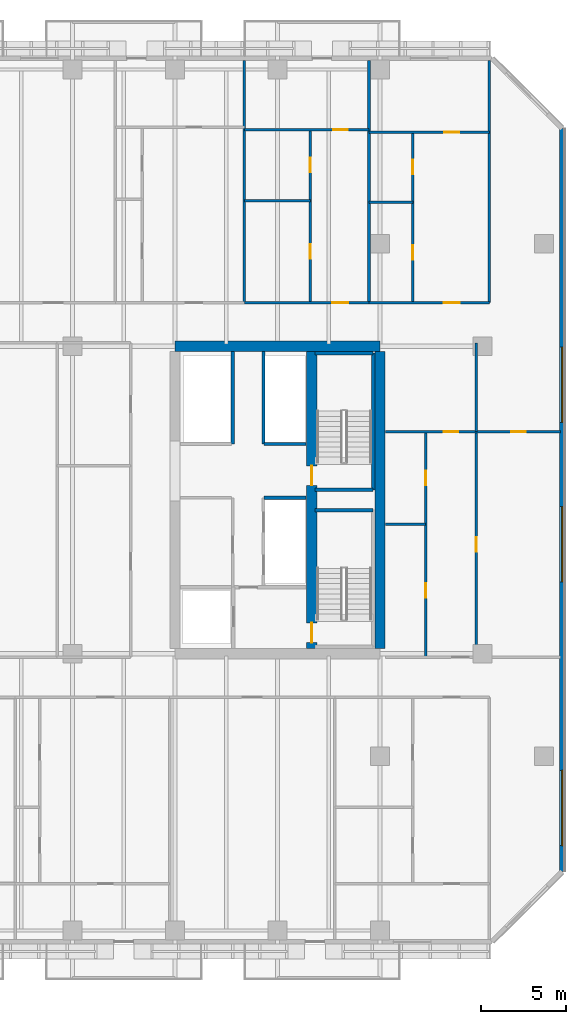
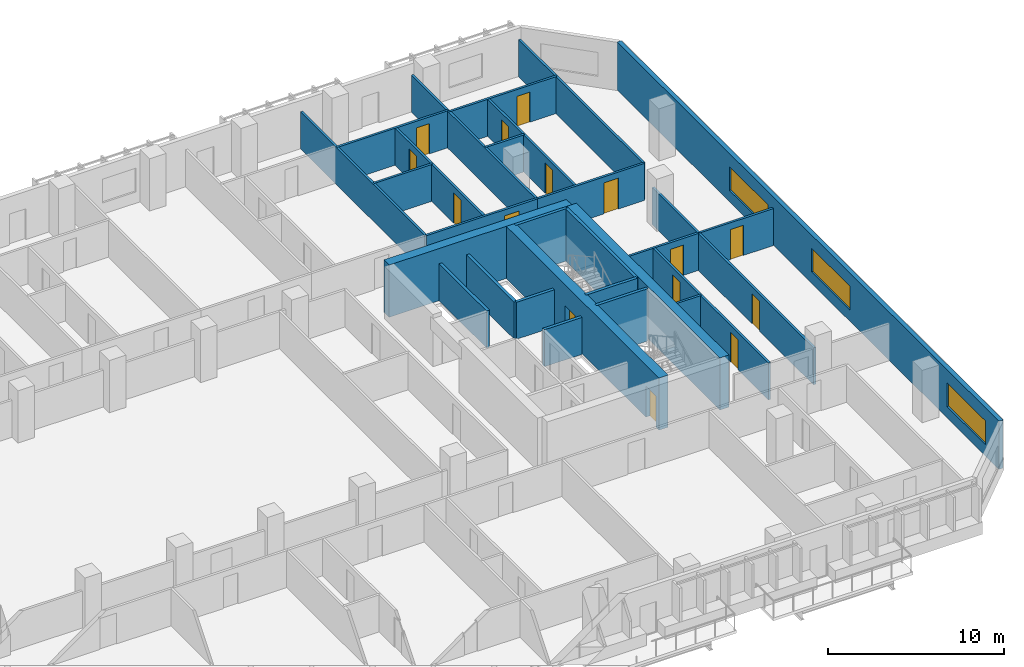
# One storey, part 15 of 25: 28 walls, 15 doors, 3 windows, 18 openings.
"""IFC4 building model written with IfcOpenShell, lengths in metres."""

from ifc_helpers import new_model, si_unit, direction, frame, frame_2d, origin, place, context, subcontext, project, spatial, rectangle, extrude, material, layer, layer_set, type_object, element, fill, save


model = new_model("IFC4")

# Units and contexts
model_context = context("Model", 3, precision=1e-05, world=origin(), true_north=direction((0.0, 1.0)))
body_context = subcontext(model_context, "Body", "Model", "MODEL_VIEW")
ifc_project = project(units=[si_unit("LENGTHUNIT", "METRE"), si_unit("AREAUNIT", "SQUARE_METRE"), si_unit("VOLUMEUNIT", "CUBIC_METRE"), si_unit("PLANEANGLEUNIT", "RADIAN"), si_unit("MASSUNIT", "GRAM", prefix="KILO")], contexts=[model_context])

# Site, building, storey
site_placement = place(None, origin())
site = spatial("IfcSite", under=ifc_project, at=site_placement, CompositionType="ELEMENT")
building_placement = place(site_placement, origin())
building = spatial("IfcBuilding", under=site, at=building_placement, Name="Tanjung Sevakor Pilgrim Tower", CompositionType="ELEMENT")
storey_placement = place(building_placement, frame((0.0, 0.0, 69.6298828125)))
storey = spatial("IfcBuildingStorey", under=building, at=storey_placement, Name="L19", CompositionType="ELEMENT", Elevation=69.6298828125)

# Walls
ifc_material_1 = material(Name="Concrete C60/75", Category="concrete")
ifc_layer_1 = layer(ifc_material_1, 0.60009765625)
ifc_layer_set_1 = layer_set([ifc_layer_1], Name="WALL-CW-600")
wall_type_1 = type_object("IfcWallType", Name="WALL-CW-600", PredefinedType="SHEAR", material=ifc_layer_set_1)
wall_1_placement = place(storey_placement, frame((90.0, 42.60009765625, 0.0), z_axis=(0.0, 0.0, 1.0), x_axis=(-1.0, 0.0, 0.0)))
element("IfcWall", 1, at=wall_1_placement, inside=storey, type_object=wall_type_1, Name="L19 E Core North Shear Wall", PredefinedType="SHEAR", context=body_context, shape_type="SweptSolid", body=[
    extrude(rectangle(XDim=12.0, YDim=0.60009765625, at=frame_2d((6.0, 0.0))), origin(), (0.0, 0.0, 1.0), 3.630126953125),
])
wall_2_placement = place(storey_placement, frame((90.0, 24.89990234375, 0.0), z_axis=(0.0, 0.0, 1.0), x_axis=(0.0, 1.0, 0.0)))
element("IfcWall", 2, at=wall_2_placement, inside=storey, type_object=wall_type_1, Name="L19 E Core Outer Shear Wall", PredefinedType="SHEAR", context=body_context, shape_type="SweptSolid", body=[
    extrude(rectangle(XDim=17.400146484375, YDim=0.60009765625, at=frame_2d((8.7001953125, 0.0))), origin(), (0.0, 0.0, 1.0), 3.630126953125),
])

# Wall, openings, doors
wall_3_placement = place(storey_placement, frame((86.0, 24.89990234375, 0.0), z_axis=(0.0, 0.0, 1.0), x_axis=(0.0, 1.0, 0.0)))
wall_3 = element("IfcWall", 3, at=wall_3_placement, inside=storey, type_object=wall_type_1, Name="L19 E Core Stair Spine Wall", PredefinedType="SHEAR", context=body_context, shape_type="SweptSolid", body=[
    extrude(rectangle(XDim=17.400146484375, YDim=0.60009765625, at=frame_2d((8.7001953125, 0.0))), origin(), (0.0, 0.0, 1.0), 3.630126953125),
])
opening_1_placement = place(wall_3_placement, frame((0.35009765625, 0.0, 0.0)))
opening_1 = element("IfcOpeningElement", 4, at=opening_1_placement, cuts=wall_3, Name="Opening ID-ST1", PredefinedType="OPENING", context=body_context, shape_type="SweptSolid", body=[
    extrude(rectangle(XDim=1.14990234375, YDim=2.14990234375, at=frame_2d((0.574951171875, 1.074951171875))), frame((0.0, 0.31005859375, 0.0), z_axis=(0.0, -1.0, 0.0), x_axis=(1.0, 0.0, 0.0)), (0.0, 0.0, 1.0), 0.6201171875),
])
opening_2_placement = place(wall_3_placement, frame((9.550048828125, 0.0, 0.0)))
opening_2 = element("IfcOpeningElement", 5, at=opening_2_placement, cuts=wall_3, Name="Opening ID-ST1", PredefinedType="OPENING", context=body_context, shape_type="SweptSolid", body=[
    extrude(rectangle(XDim=1.14990234375, YDim=2.14990234375, at=frame_2d((0.574951171875, 1.074951171875))), frame((0.0, 0.31005859375, 0.0), z_axis=(0.0, -1.0, 0.0), x_axis=(1.0, 0.0, 0.0)), (0.0, 0.0, 1.0), 0.6201171875),
])
ifc_material_2 = material(Name="Fire-Rated Steel S355J2", Category="steel")
door_type_1 = type_object("IfcDoorType", Name="DT-FIRE-1150", OperationType="NOTDEFINED", PredefinedType="DOOR", material=ifc_material_2)
door_1_placement = place(opening_1_placement, origin())
door_1 = element("IfcDoor", 6, at=door_1_placement, inside=storey, type_object=door_type_1, Name="L19 TS-E1 Stair Fire Door", OperationType="SINGLE_SWING_RIGHT", OverallHeight=2.14990234375, OverallWidth=1.14990234375, PredefinedType="DOOR", context=body_context, shape_type="SweptSolid", body=[
    extrude(rectangle(XDim=1.14990234375, YDim=2.14990234375, at=frame_2d((0.574951171875, 1.074951171875))), frame((0.0, 0.02490234375, 0.0), z_axis=(0.0, -1.0, 0.0), x_axis=(1.0, 0.0, 0.0)), (0.0, 0.0, 1.0), 0.050048828125),
])
fill(opening_1, door_1)
door_2_placement = place(opening_2_placement, origin())
door_2 = element("IfcDoor", 7, at=door_2_placement, inside=storey, type_object=door_type_1, Name="L19 TS-E2 Stair Fire Door", OperationType="SINGLE_SWING_LEFT", OverallHeight=2.14990234375, OverallWidth=1.14990234375, PredefinedType="DOOR", context=body_context, shape_type="SweptSolid", body=[
    extrude(rectangle(XDim=1.14990234375, YDim=2.14990234375, at=frame_2d((0.574951171875, 1.074951171875))), frame((0.0, 0.02490234375, 0.0), z_axis=(0.0, -1.0, 0.0), x_axis=(1.0, 0.0, 0.0)), (0.0, 0.0, 1.0), 0.050048828125),
])
fill(opening_2, door_2)

# Walls
ifc_material_3 = material(Name="Concrete C40/50", Category="concrete")
ifc_layer_2 = layer(ifc_material_3, 0.14990234375)
ifc_layer_set_2 = layer_set([ifc_layer_2], Name="WT-COMP-150")
wall_type_2 = type_object("IfcWallType", Name="WT-COMP-150", PredefinedType="SOLIDWALL", material=ifc_layer_set_2)
for number, where, z_axis, x_axis, name in (
    (8, (96.39990234375, 45.14990234375, 0.0), (0.0, 0.0, 1.0), (0.0, 1.0, 0.0), "L19 Partition IW-L19-087"),
    (9, (82.05908203125, 45.14990234375, 0.0), (0.0, 0.0, 1.0), (0.0, 1.0, 0.0), "L19 Partition IW-L19-100"),
    (10, (89.355224609375, 45.14990234375, 0.0), (0.0, 0.0, 1.0), (0.0, 1.0, 0.0), "L19 Partition IW-L19-105"),
):
    element("IfcWall", number, at=place(storey_placement, frame(where, z_axis=z_axis, x_axis=x_axis)), inside=storey, type_object=wall_type_2, Name=name, PredefinedType="SOLIDWALL", context=body_context, shape_type="SweptSolid", body=[
        extrude(rectangle(XDim=14.170166015625, YDim=0.14990234375, at=frame_2d((7.0849609375, 0.0))), origin(), (0.0, 0.0, 1.0), 2.570068359375),
    ])

# Wall, opening, door
wall_4_placement = place(storey_placement, frame((82.05908203125, 45.14990234375, 0.0), z_axis=(0.0, 0.0, 1.0), x_axis=(1.0, 0.0, 0.0)))
wall_4 = element("IfcWall", 11, at=wall_4_placement, inside=storey, type_object=wall_type_2, Name="L19 Partition IW-L19-109", PredefinedType="SOLIDWALL", context=body_context, shape_type="SweptSolid", body=[
    extrude(rectangle(XDim=7.296142578125, YDim=0.14990234375, at=frame_2d((3.64794921875, 0.0))), origin(), (0.0, 0.0, 1.0), 2.570068359375),
])
opening_3_placement = place(wall_4_placement, frame((5.1435546875, 0.0, 0.0)))
opening_3 = element("IfcOpeningElement", 12, at=opening_3_placement, cuts=wall_4, Name="Opening ID-FD2", PredefinedType="OPENING", context=body_context, shape_type="SweptSolid", body=[
    extrude(rectangle(XDim=0.949951171875, YDim=2.14990234375, at=frame_2d((0.47509765625, 1.074951171875))), frame((0.0, 0.0849609375, 0.0), z_axis=(0.0, -1.0, 0.0), x_axis=(1.0, 0.0, 0.0)), (0.0, 0.0, 1.0), 0.169921875),
])
ifc_material_4 = material(Name="Fire-Rated Timber", Category="wood")
door_type_2 = type_object("IfcDoorType", Name="DT-FIRE-950", OperationType="NOTDEFINED", PredefinedType="DOOR", material=ifc_material_4)
door_3_placement = place(opening_3_placement, origin())
door_3 = element("IfcDoor", 13, at=door_3_placement, inside=storey, type_object=door_type_2, Name="Residence Entrance", OperationType="SINGLE_SWING_LEFT", OverallHeight=2.14990234375, OverallWidth=0.949951171875, PredefinedType="DOOR", context=body_context, shape_type="SweptSolid", body=[
    extrude(rectangle(XDim=0.949951171875, YDim=2.14990234375, at=frame_2d((0.47509765625, 1.074951171875))), frame((0.0, 0.02490234375, 0.0), z_axis=(0.0, -1.0, 0.0), x_axis=(1.0, 0.0, 0.0)), (0.0, 0.0, 1.0), 0.050048828125),
])
fill(opening_3, door_3)

wall_5_placement = place(storey_placement, frame((89.355224609375, 45.14990234375, 0.0), z_axis=(0.0, 0.0, 1.0), x_axis=(1.0, 0.0, 0.0)))
wall_5 = element("IfcWall", 14, at=wall_5_placement, inside=storey, type_object=wall_type_2, Name="L19 Partition IW-L19-113", PredefinedType="SOLIDWALL", context=body_context, shape_type="SweptSolid", body=[
    extrude(rectangle(XDim=7.044677734375, YDim=0.14990234375, at=frame_2d((3.5224609375, 0.0))), origin(), (0.0, 0.0, 1.0), 2.570068359375),
])
opening_4_placement = place(wall_5_placement, frame((4.36962890625, 0.0, 0.0)))
opening_4 = element("IfcOpeningElement", 15, at=opening_4_placement, cuts=wall_5, Name="Opening ID-FD2", PredefinedType="OPENING", context=body_context, shape_type="SweptSolid", body=[
    extrude(rectangle(XDim=0.949951171875, YDim=2.14990234375, at=frame_2d((0.47509765625, 1.074951171875))), frame((0.0, 0.0849609375, 0.0), z_axis=(0.0, -1.0, 0.0), x_axis=(1.0, 0.0, 0.0)), (0.0, 0.0, 1.0), 0.169921875),
])
door_4_placement = place(opening_4_placement, origin())
door_4 = element("IfcDoor", 16, at=door_4_placement, inside=storey, type_object=door_type_2, Name="Residence Entrance", OperationType="SINGLE_SWING_LEFT", OverallHeight=2.14990234375, OverallWidth=0.949951171875, PredefinedType="DOOR", context=body_context, shape_type="SweptSolid", body=[
    extrude(rectangle(XDim=0.949951171875, YDim=2.14990234375, at=frame_2d((0.47509765625, 1.074951171875))), frame((0.0, 0.02490234375, 0.0), z_axis=(0.0, -1.0, 0.0), x_axis=(1.0, 0.0, 0.0)), (0.0, 0.0, 1.0), 0.050048828125),
])
fill(opening_4, door_4)

# Wall, openings, windows
ifc_material_5 = material(Name="Precast concrete C45/55", Category="concrete")
ifc_layer_3 = layer(ifc_material_5, 0.280029296875)
ifc_layer_set_3 = layer_set([ifc_layer_3], Name="WT-EW-STN2")
wall_type_3 = type_object("IfcWallType", Name="WT-EW-STN2", PredefinedType="SOLIDWALL", material=ifc_layer_set_3)
wall_6_placement = place(storey_placement, frame((100.659912109375, 11.85791015625, 0.0), z_axis=(0.0, 0.0, 1.0), x_axis=(0.0, 1.0, 0.0)))
wall_6 = element("IfcWall", 17, at=wall_6_placement, inside=storey, type_object=wall_type_3, Name="L19 MAIN Exterior Wall 7", PredefinedType="SOLIDWALL", context=body_context, shape_type="SweptSolid", body=[
    extrude(rectangle(XDim=43.484130859375, YDim=0.280029296875, at=frame_2d((21.7421875, 0.0))), origin(), (0.0, 0.0, 1.0), 3.35009765625),
])
opening_5_placement = place(wall_6_placement, frame((16.951904296875, 0.0, 0.780029296875)))
opening_5 = element("IfcOpeningElement", 18, at=opening_5_placement, cuts=wall_6, Name="Opening WN-ENDW-1660", PredefinedType="OPENING", context=body_context, shape_type="SweptSolid", body=[
    extrude(rectangle(XDim=4.39990234375, YDim=1.659912109375, at=frame_2d((2.199951171875, 0.830078125))), frame((0.0, 0.14990234375, 0.0), z_axis=(0.0, -1.0, 0.0), x_axis=(1.0, 0.0, 0.0)), (0.0, 0.0, 1.0), 0.300048828125),
])
opening_6_placement = place(wall_6_placement, frame((26.2919921875, 0.0, 0.780029296875)))
opening_6 = element("IfcOpeningElement", 19, at=opening_6_placement, cuts=wall_6, Name="Opening WN-ENDW-1660", PredefinedType="OPENING", context=body_context, shape_type="SweptSolid", body=[
    extrude(rectangle(XDim=4.39990234375, YDim=1.659912109375, at=frame_2d((2.199951171875, 0.830078125))), frame((0.0, 0.14990234375, 0.0), z_axis=(0.0, -1.0, 0.0), x_axis=(1.0, 0.0, 0.0)), (0.0, 0.0, 1.0), 0.300048828125),
])
opening_7_placement = place(wall_6_placement, frame((1.510986328125, 0.0, 0.780029296875)))
opening_7 = element("IfcOpeningElement", 20, at=opening_7_placement, cuts=wall_6, Name="Opening WN-ENDW-1660", PredefinedType="OPENING", context=body_context, shape_type="SweptSolid", body=[
    extrude(rectangle(XDim=4.39990234375, YDim=1.659912109375, at=frame_2d((2.199951171875, 0.830078125))), frame((0.0, 0.14990234375, 0.0), z_axis=(0.0, -1.0, 0.0), x_axis=(1.0, 0.0, 0.0)), (0.0, 0.0, 1.0), 0.300048828125),
])
ifc_material_6 = material(Name="Thermally Broken Aluminium and Low-E Glass", Category="aluminium")
window_type = type_object("IfcWindowType", Name="WTYP-WN-ENDW-1660", PartitioningType="DOUBLE_PANEL_VERTICAL", PredefinedType="WINDOW", material=ifc_material_6)
window_1_placement = place(opening_5_placement, origin())
window_1 = element("IfcWindow", 21, at=window_1_placement, inside=storey, type_object=window_type, Name="L19 Facade Window 01", OverallHeight=1.659912109375, OverallWidth=4.39990234375, PartitioningType="SINGLE_PANEL", PredefinedType="WINDOW", context=body_context, shape_type="SweptSolid", body=[
    extrude(rectangle(XDim=4.39990234375, YDim=1.659912109375, at=frame_2d((2.199951171875, 0.830078125))), frame((0.0, 0.030029296875, 0.0), z_axis=(0.0, -1.0, 0.0), x_axis=(1.0, 0.0, 0.0)), (0.0, 0.0, 1.0), 0.06005859375),
])
fill(opening_5, window_1)
window_2_placement = place(opening_6_placement, origin())
window_2 = element("IfcWindow", 22, at=window_2_placement, inside=storey, type_object=window_type, Name="L19 Facade Window 02", OverallHeight=1.659912109375, OverallWidth=4.39990234375, PartitioningType="SINGLE_PANEL", PredefinedType="WINDOW", context=body_context, shape_type="SweptSolid", body=[
    extrude(rectangle(XDim=4.39990234375, YDim=1.659912109375, at=frame_2d((2.199951171875, 0.830078125))), frame((0.0, 0.030029296875, 0.0), z_axis=(0.0, -1.0, 0.0), x_axis=(1.0, 0.0, 0.0)), (0.0, 0.0, 1.0), 0.06005859375),
])
fill(opening_6, window_2)
window_3_placement = place(opening_7_placement, origin())
window_3 = element("IfcWindow", 23, at=window_3_placement, inside=storey, type_object=window_type, Name="L19 Facade Window 03", OverallHeight=1.659912109375, OverallWidth=4.39990234375, PartitioningType="SINGLE_PANEL", PredefinedType="WINDOW", context=body_context, shape_type="SweptSolid", body=[
    extrude(rectangle(XDim=4.39990234375, YDim=1.659912109375, at=frame_2d((2.199951171875, 0.830078125))), frame((0.0, 0.030029296875, 0.0), z_axis=(0.0, -1.0, 0.0), x_axis=(1.0, 0.0, 0.0)), (0.0, 0.0, 1.0), 0.06005859375),
])
fill(opening_7, window_3)

# Walls
ifc_material_7 = material(Name="Concrete C40/50", Category="concrete")
ifc_layer_4 = layer(ifc_material_7, 0.199951171875)
ifc_layer_set_4 = layer_set([ifc_layer_4], Name="WT-FIRE-200")
wall_type_4 = type_object("IfcWallType", Name="WT-FIRE-200", PredefinedType="SOLIDWALL", material=ifc_layer_set_4)
for number, where, z_axis, x_axis, name in (
    (24, (89.60009765625, 33.0, 0.0), (0.0, 0.0, 1.0), (-1.0, 0.0, 0.0), "L19 TS-E1 Shaft Wall 3"),
    (25, (86.199951171875, 34.199951171875, 0.0), (0.0, 0.0, 1.0), (1.0, 0.0, 0.0), "L19 TS-E2 Shaft Wall 1"),
):
    element("IfcWall", number, at=place(storey_placement, frame(where, z_axis=z_axis, x_axis=x_axis)), inside=storey, type_object=wall_type_4, Name=name, PredefinedType="SOLIDWALL", context=body_context, shape_type="SweptSolid", body=[
        extrude(rectangle(XDim=3.400146484375, YDim=0.199951171875, at=frame_2d((1.7001953125, 0.0))), origin(), (0.0, 0.0, 1.0), 3.630126953125),
    ])
wall_7_placement = place(storey_placement, frame((89.60009765625, 34.199951171875, 0.0), z_axis=(0.0, 0.0, 1.0), x_axis=(0.0, 1.0, 0.0)))
element("IfcWall", 26, at=wall_7_placement, inside=storey, type_object=wall_type_4, Name="L19 TS-E2 Shaft Wall 2", PredefinedType="SOLIDWALL", context=body_context, shape_type="SweptSolid", body=[
    extrude(rectangle(XDim=8.0, YDim=0.199951171875, at=frame_2d((4.0, 0.0))), origin(), (0.0, 0.0, 1.0), 3.630126953125),
])
wall_8_placement = place(storey_placement, frame((89.60009765625, 42.199951171875, 0.0), z_axis=(0.0, 0.0, 1.0), x_axis=(-1.0, 0.0, 0.0)))
element("IfcWall", 27, at=wall_8_placement, inside=storey, type_object=wall_type_4, Name="L19 TS-E2 Shaft Wall 3", PredefinedType="SOLIDWALL", context=body_context, shape_type="SweptSolid", body=[
    extrude(rectangle(XDim=3.400146484375, YDim=0.199951171875, at=frame_2d((1.7001953125, 0.0))), origin(), (0.0, 0.0, 1.0), 3.630126953125),
])
ifc_material_8 = material(Name="Concrete C40/50", Category="concrete")
ifc_layer_5 = layer(ifc_material_8, 0.199951171875)
ifc_layer_set_5 = layer_set([ifc_layer_5], Name="WT-FPRT-200")
wall_type_5 = type_object("IfcWallType", Name="WT-FPRT-200", PredefinedType="SOLIDWALL", material=ifc_layer_set_5)
for number, where, z_axis, x_axis, name in (
    (28, (83.199951171875, 33.719970703125, 0.0), (0.0, 0.0, 1.0), (1.0, 0.0, 0.0), "L19 Partition IW-L19-013"),
    (29, (83.199951171875, 36.8798828125, 0.0), (0.0, 0.0, 1.0), (1.0, 0.0, 0.0), "L19 Partition IW-L19-017"),
):
    element("IfcWall", number, at=place(storey_placement, frame(where, z_axis=z_axis, x_axis=x_axis)), inside=storey, type_object=wall_type_5, Name=name, PredefinedType="SOLIDWALL", context=body_context, shape_type="SweptSolid", body=[
        extrude(rectangle(XDim=2.47998046875, YDim=0.199951171875, at=frame_2d((1.239990234375, 0.0))), origin(), (0.0, 0.0, 1.0), 2.570068359375),
    ])
for number, where, z_axis, x_axis, name in (
    (30, (83.179931640625, 36.8798828125, 0.0), (0.0, 0.0, 1.0), (0.0, 1.0, 0.0), "L19 Partition IW-L19-018"),
    (31, (81.3798828125, 36.8798828125, 0.0), (0.0, 0.0, 1.0), (0.0, 1.0, 0.0), "L19 Partition IW-L19-020"),
):
    element("IfcWall", number, at=place(storey_placement, frame(where, z_axis=z_axis, x_axis=x_axis)), inside=storey, type_object=wall_type_5, Name=name, PredefinedType="SOLIDWALL", context=body_context, shape_type="SweptSolid", body=[
        extrude(rectangle(XDim=5.420166015625, YDim=0.199951171875, at=frame_2d((2.7099609375, 0.0))), origin(), (0.0, 0.0, 1.0), 2.570068359375),
    ])

# Wall, opening, door
ifc_material_9 = material(Name="Gypsum Board Partition", Category="gypsum board")
ifc_layer_6 = layer(ifc_material_9, 0.14990234375)
ifc_layer_set_6 = layer_set([ifc_layer_6], Name="WT-PART-150")
wall_type_6 = type_object("IfcWallType", Name="WT-PART-150", PredefinedType="PARTITIONING", material=ifc_layer_set_6)
wall_9_placement = place(storey_placement, frame((95.644775390625, 24.39990234375, 0.0), z_axis=(0.0, 0.0, 1.0), x_axis=(0.0, 1.0, 0.0)))
wall_9 = element("IfcWall", 32, at=wall_9_placement, inside=storey, type_object=wall_type_6, Name="L19 Partition IW-L19-036", PredefinedType="PARTITIONING", context=body_context, shape_type="SweptSolid", body=[
    extrude(rectangle(XDim=13.2001953125, YDim=0.14990234375, at=frame_2d((6.60009765625, 0.0))), origin(), (0.0, 0.0, 1.0), 2.570068359375),
])
opening_8_placement = place(wall_9_placement, frame((6.175048828125, 0.0, 0.0)))
opening_8 = element("IfcOpeningElement", 33, at=opening_8_placement, cuts=wall_9, Name="Opening ID-WC1", PredefinedType="OPENING", context=body_context, shape_type="SweptSolid", body=[
    extrude(rectangle(XDim=0.85009765625, YDim=2.10009765625, at=frame_2d((0.425048828125, 1.050048828125))), frame((0.0, 0.0849609375, 0.0), z_axis=(0.0, -1.0, 0.0), x_axis=(1.0, 0.0, 0.0)), (0.0, 0.0, 1.0), 0.169921875),
])
ifc_material_10 = material(Name="Moisture-Resistant Timber", Category="wood")
door_type_3 = type_object("IfcDoorType", Name="DT-INT-850", OperationType="NOTDEFINED", PredefinedType="DOOR", material=ifc_material_10)
door_5_placement = place(opening_8_placement, origin())
door_5 = element("IfcDoor", 34, at=door_5_placement, inside=storey, type_object=door_type_3, Name="Suite Study Room Door", OperationType="SINGLE_SWING_RIGHT", OverallHeight=2.10009765625, OverallWidth=0.85009765625, PredefinedType="DOOR", context=body_context, shape_type="SweptSolid", body=[
    extrude(rectangle(XDim=0.85009765625, YDim=2.10009765625, at=frame_2d((0.425048828125, 1.050048828125))), frame((0.0, 0.02490234375, 0.0), z_axis=(0.0, -1.0, 0.0), x_axis=(1.0, 0.0, 0.0)), (0.0, 0.0, 1.0), 0.050048828125),
])
fill(opening_8, door_5)

# Wall
wall_10_placement = place(storey_placement, frame((90.320068359375, 32.18798828125, 0.0), z_axis=(0.0, 0.0, 1.0), x_axis=(1.0, 0.0, 0.0)))
element("IfcWall", 35, at=wall_10_placement, inside=storey, type_object=wall_type_6, Name="L19 Partition IW-L19-037", PredefinedType="PARTITIONING", context=body_context, shape_type="SweptSolid", body=[
    extrude(rectangle(XDim=2.349853515625, YDim=0.14990234375, at=frame_2d((1.1748046875, 0.0))), origin(), (0.0, 0.0, 1.0), 2.570068359375),
])

# Wall, openings, doors
wall_11_placement = place(storey_placement, frame((92.669921875, 24.39990234375, 0.0), z_axis=(0.0, 0.0, 1.0), x_axis=(0.0, 1.0, 0.0)))
wall_11 = element("IfcWall", 36, at=wall_11_placement, inside=storey, type_object=wall_type_6, Name="L19 Partition IW-L19-038", PredefinedType="PARTITIONING", context=body_context, shape_type="SweptSolid", body=[
    extrude(rectangle(XDim=13.2001953125, YDim=0.14990234375, at=frame_2d((6.60009765625, 0.0))), origin(), (0.0, 0.0, 1.0), 2.570068359375),
])
opening_9_placement = place(wall_11_placement, frame((3.468994140625, 0.0, 0.0)))
opening_9 = element("IfcOpeningElement", 37, at=opening_9_placement, cuts=wall_11, Name="Opening ID-WC1", PredefinedType="OPENING", context=body_context, shape_type="SweptSolid", body=[
    extrude(rectangle(XDim=0.85009765625, YDim=2.10009765625, at=frame_2d((0.425048828125, 1.050048828125))), frame((0.0, 0.0849609375, 0.0), z_axis=(0.0, -1.0, 0.0), x_axis=(1.0, 0.0, 0.0)), (0.0, 0.0, 1.0), 0.169921875),
])
opening_10_placement = place(wall_11_placement, frame((10.069091796875, 0.0, 0.0)))
opening_10 = element("IfcOpeningElement", 38, at=opening_10_placement, cuts=wall_11, Name="Opening ID-WC1", PredefinedType="OPENING", context=body_context, shape_type="SweptSolid", body=[
    extrude(rectangle(XDim=0.85009765625, YDim=2.10009765625, at=frame_2d((0.425048828125, 1.050048828125))), frame((0.0, 0.0849609375, 0.0), z_axis=(0.0, -1.0, 0.0), x_axis=(1.0, 0.0, 0.0)), (0.0, 0.0, 1.0), 0.169921875),
])
door_6_placement = place(opening_9_placement, origin())
door_6 = element("IfcDoor", 39, at=door_6_placement, inside=storey, type_object=door_type_3, Name="Suite Kitchenette Door", OperationType="SINGLE_SWING_LEFT", OverallHeight=2.10009765625, OverallWidth=0.85009765625, PredefinedType="DOOR", context=body_context, shape_type="SweptSolid", body=[
    extrude(rectangle(XDim=0.85009765625, YDim=2.10009765625, at=frame_2d((0.425048828125, 1.050048828125))), frame((0.0, 0.02490234375, 0.0), z_axis=(0.0, -1.0, 0.0), x_axis=(1.0, 0.0, 0.0)), (0.0, 0.0, 1.0), 0.050048828125),
])
fill(opening_9, door_6)
door_7_placement = place(opening_10_placement, origin())
door_7 = element("IfcDoor", 40, at=door_7_placement, inside=storey, type_object=door_type_3, Name="Suite Bathroom Door", OperationType="SINGLE_SWING_RIGHT", OverallHeight=2.10009765625, OverallWidth=0.85009765625, PredefinedType="DOOR", context=body_context, shape_type="SweptSolid", body=[
    extrude(rectangle(XDim=0.85009765625, YDim=2.10009765625, at=frame_2d((0.425048828125, 1.050048828125))), frame((0.0, 0.02490234375, 0.0), z_axis=(0.0, -1.0, 0.0), x_axis=(1.0, 0.0, 0.0)), (0.0, 0.0, 1.0), 0.050048828125),
])
fill(opening_10, door_7)

# Wall
wall_12_placement = place(storey_placement, frame((95.644775390625, 37.60009765625, 0.0), z_axis=(0.0, 0.0, 1.0), x_axis=(0.0, 1.0, 0.0)))
element("IfcWall", 41, at=wall_12_placement, inside=storey, type_object=wall_type_6, Name="L19 Partition IW-L19-039", PredefinedType="PARTITIONING", context=body_context, shape_type="SweptSolid", body=[
    extrude(rectangle(XDim=5.199951171875, YDim=0.14990234375, at=frame_2d((2.60009765625, 0.0))), origin(), (0.0, 0.0, 1.0), 2.570068359375),
])

# Wall, openings, doors
wall_13_placement = place(storey_placement, frame((90.320068359375, 37.60009765625, 0.0), z_axis=(0.0, 0.0, 1.0), x_axis=(1.0, 0.0, 0.0)))
wall_13 = element("IfcWall", 42, at=wall_13_placement, inside=storey, type_object=wall_type_6, Name="L19 Partition IW-L19-040", PredefinedType="PARTITIONING", context=body_context, shape_type="SweptSolid", body=[
    extrude(rectangle(XDim=10.239990234375, YDim=0.14990234375, at=frame_2d((5.1201171875, 0.0))), origin(), (0.0, 0.0, 1.0), 2.570068359375),
])
opening_11_placement = place(wall_13_placement, frame((3.412353515625, 0.0, 0.0)))
opening_11 = element("IfcOpeningElement", 43, at=opening_11_placement, cuts=wall_13, Name="Opening ID-WC1", PredefinedType="OPENING", context=body_context, shape_type="SweptSolid", body=[
    extrude(rectangle(XDim=0.85009765625, YDim=2.10009765625, at=frame_2d((0.425048828125, 1.050048828125))), frame((0.0, 0.0849609375, 0.0), z_axis=(0.0, -1.0, 0.0), x_axis=(1.0, 0.0, 0.0)), (0.0, 0.0, 1.0), 0.169921875),
])
opening_12_placement = place(wall_13_placement, frame((7.357421875, 0.0, 0.0)))
opening_12 = element("IfcOpeningElement", 44, at=opening_12_placement, cuts=wall_13, Name="Opening ID-WC1", PredefinedType="OPENING", context=body_context, shape_type="SweptSolid", body=[
    extrude(rectangle(XDim=0.85009765625, YDim=2.10009765625, at=frame_2d((0.425048828125, 1.050048828125))), frame((0.0, 0.0849609375, 0.0), z_axis=(0.0, -1.0, 0.0), x_axis=(1.0, 0.0, 0.0)), (0.0, 0.0, 1.0), 0.169921875),
])
door_8_placement = place(opening_11_placement, origin())
door_8 = element("IfcDoor", 45, at=door_8_placement, inside=storey, type_object=door_type_3, Name="Suite Bedroom 1 Door", OperationType="SINGLE_SWING_LEFT", OverallHeight=2.10009765625, OverallWidth=0.85009765625, PredefinedType="DOOR", context=body_context, shape_type="SweptSolid", body=[
    extrude(rectangle(XDim=0.85009765625, YDim=2.10009765625, at=frame_2d((0.425048828125, 1.050048828125))), frame((0.0, 0.02490234375, 0.0), z_axis=(0.0, -1.0, 0.0), x_axis=(1.0, 0.0, 0.0)), (0.0, 0.0, 1.0), 0.050048828125),
])
fill(opening_11, door_8)
door_9_placement = place(opening_12_placement, origin())
door_9 = element("IfcDoor", 46, at=door_9_placement, inside=storey, type_object=door_type_3, Name="Suite Bedroom 2 Door", OperationType="SINGLE_SWING_RIGHT", OverallHeight=2.10009765625, OverallWidth=0.85009765625, PredefinedType="DOOR", context=body_context, shape_type="SweptSolid", body=[
    extrude(rectangle(XDim=0.85009765625, YDim=2.10009765625, at=frame_2d((0.425048828125, 1.050048828125))), frame((0.0, 0.02490234375, 0.0), z_axis=(0.0, -1.0, 0.0), x_axis=(1.0, 0.0, 0.0)), (0.0, 0.0, 1.0), 0.050048828125),
])
fill(opening_12, door_9)

# Wall
wall_14_placement = place(storey_placement, frame((82.05908203125, 51.124755859375, 0.0), z_axis=(0.0, 0.0, 1.0), x_axis=(1.0, 0.0, 0.0)))
element("IfcWall", 47, at=wall_14_placement, inside=storey, type_object=wall_type_6, Name="L19 Partition IW-L19-106", PredefinedType="PARTITIONING", context=body_context, shape_type="SweptSolid", body=[
    extrude(rectangle(XDim=3.86083984375, YDim=0.14990234375, at=frame_2d((1.930419921875, 0.0))), origin(), (0.0, 0.0, 1.0), 2.570068359375),
])

# Wall, openings, doors
wall_15_placement = place(storey_placement, frame((85.919921875, 45.14990234375, 0.0), z_axis=(0.0, 0.0, 1.0), x_axis=(0.0, 1.0, 0.0)))
wall_15 = element("IfcWall", 48, at=wall_15_placement, inside=storey, type_object=wall_type_6, Name="L19 Partition IW-L19-107", PredefinedType="PARTITIONING", context=body_context, shape_type="SweptSolid", body=[
    extrude(rectangle(XDim=10.126708984375, YDim=0.14990234375, at=frame_2d((5.0634765625, 0.0))), origin(), (0.0, 0.0, 1.0), 2.570068359375),
])
opening_13_placement = place(wall_15_placement, frame((2.5625, 0.0, 0.0)))
opening_13 = element("IfcOpeningElement", 49, at=opening_13_placement, cuts=wall_15, Name="Opening ID-WC1", PredefinedType="OPENING", context=body_context, shape_type="SweptSolid", body=[
    extrude(rectangle(XDim=0.85009765625, YDim=2.10009765625, at=frame_2d((0.425048828125, 1.050048828125))), frame((0.0, 0.0849609375, 0.0), z_axis=(0.0, -1.0, 0.0), x_axis=(1.0, 0.0, 0.0)), (0.0, 0.0, 1.0), 0.169921875),
])
opening_14_placement = place(wall_15_placement, frame((7.625732421875, 0.0, 0.0)))
opening_14 = element("IfcOpeningElement", 50, at=opening_14_placement, cuts=wall_15, Name="Opening ID-WC1", PredefinedType="OPENING", context=body_context, shape_type="SweptSolid", body=[
    extrude(rectangle(XDim=0.85009765625, YDim=2.10009765625, at=frame_2d((0.425048828125, 1.050048828125))), frame((0.0, 0.0849609375, 0.0), z_axis=(0.0, -1.0, 0.0), x_axis=(1.0, 0.0, 0.0)), (0.0, 0.0, 1.0), 0.169921875),
])
door_10_placement = place(opening_13_placement, origin())
door_10 = element("IfcDoor", 51, at=door_10_placement, inside=storey, type_object=door_type_3, Name="Residence Kitchenette Door", OperationType="SINGLE_SWING_RIGHT", OverallHeight=2.10009765625, OverallWidth=0.85009765625, PredefinedType="DOOR", context=body_context, shape_type="SweptSolid", body=[
    extrude(rectangle(XDim=0.85009765625, YDim=2.10009765625, at=frame_2d((0.425048828125, 1.050048828125))), frame((0.0, 0.02490234375, 0.0), z_axis=(0.0, -1.0, 0.0), x_axis=(1.0, 0.0, 0.0)), (0.0, 0.0, 1.0), 0.050048828125),
])
fill(opening_13, door_10)
door_11_placement = place(opening_14_placement, origin())
door_11 = element("IfcDoor", 52, at=door_11_placement, inside=storey, type_object=door_type_3, Name="Residence Bathroom Door", OperationType="SINGLE_SWING_LEFT", OverallHeight=2.10009765625, OverallWidth=0.85009765625, PredefinedType="DOOR", context=body_context, shape_type="SweptSolid", body=[
    extrude(rectangle(XDim=0.85009765625, YDim=2.10009765625, at=frame_2d((0.425048828125, 1.050048828125))), frame((0.0, 0.02490234375, 0.0), z_axis=(0.0, -1.0, 0.0), x_axis=(1.0, 0.0, 0.0)), (0.0, 0.0, 1.0), 0.050048828125),
])
fill(opening_14, door_11)

# Wall, opening, door
wall_16_placement = place(storey_placement, frame((82.05908203125, 55.276611328125, 0.0), z_axis=(0.0, 0.0, 1.0), x_axis=(1.0, 0.0, 0.0)))
wall_16 = element("IfcWall", 53, at=wall_16_placement, inside=storey, type_object=wall_type_6, Name="L19 Partition IW-L19-108", PredefinedType="PARTITIONING", context=body_context, shape_type="SweptSolid", body=[
    extrude(rectangle(XDim=7.296142578125, YDim=0.14990234375, at=frame_2d((3.64794921875, 0.0))), origin(), (0.0, 0.0, 1.0), 2.570068359375),
])
opening_15_placement = place(wall_16_placement, frame((5.193603515625, 0.0, 0.0)))
opening_15 = element("IfcOpeningElement", 54, at=opening_15_placement, cuts=wall_16, Name="Opening ID-WC1", PredefinedType="OPENING", context=body_context, shape_type="SweptSolid", body=[
    extrude(rectangle(XDim=0.85009765625, YDim=2.10009765625, at=frame_2d((0.425048828125, 1.050048828125))), frame((0.0, 0.0849609375, 0.0), z_axis=(0.0, -1.0, 0.0), x_axis=(1.0, 0.0, 0.0)), (0.0, 0.0, 1.0), 0.169921875),
])
door_12_placement = place(opening_15_placement, origin())
door_12 = element("IfcDoor", 55, at=door_12_placement, inside=storey, type_object=door_type_3, Name="Residence Bedroom Door", OperationType="SINGLE_SWING_RIGHT", OverallHeight=2.10009765625, OverallWidth=0.85009765625, PredefinedType="DOOR", context=body_context, shape_type="SweptSolid", body=[
    extrude(rectangle(XDim=0.85009765625, YDim=2.10009765625, at=frame_2d((0.425048828125, 1.050048828125))), frame((0.0, 0.02490234375, 0.0), z_axis=(0.0, -1.0, 0.0), x_axis=(1.0, 0.0, 0.0)), (0.0, 0.0, 1.0), 0.050048828125),
])
fill(opening_15, door_12)

# Wall
wall_17_placement = place(storey_placement, frame((89.355224609375, 51.039794921875, 0.0), z_axis=(0.0, 0.0, 1.0), x_axis=(1.0, 0.0, 0.0)))
element("IfcWall", 56, at=wall_17_placement, inside=storey, type_object=wall_type_6, Name="L19 Partition IW-L19-110", PredefinedType="PARTITIONING", context=body_context, shape_type="SweptSolid", body=[
    extrude(rectangle(XDim=2.564697265625, YDim=0.14990234375, at=frame_2d((1.2822265625, 0.0))), origin(), (0.0, 0.0, 1.0), 2.570068359375),
])

# Wall, openings, doors
wall_18_placement = place(storey_placement, frame((91.919921875, 45.14990234375, 0.0), z_axis=(0.0, 0.0, 1.0), x_axis=(0.0, 1.0, 0.0)))
wall_18 = element("IfcWall", 57, at=wall_18_placement, inside=storey, type_object=wall_type_6, Name="L19 Partition IW-L19-111", PredefinedType="PARTITIONING", context=body_context, shape_type="SweptSolid", body=[
    extrude(rectangle(XDim=9.982666015625, YDim=0.14990234375, at=frame_2d((4.9912109375, 0.0))), origin(), (0.0, 0.0, 1.0), 2.570068359375),
])
opening_16_placement = place(wall_18_placement, frame((2.52001953125, 0.0, 0.0)))
opening_16 = element("IfcOpeningElement", 58, at=opening_16_placement, cuts=wall_18, Name="Opening ID-WC1", PredefinedType="OPENING", context=body_context, shape_type="SweptSolid", body=[
    extrude(rectangle(XDim=0.85009765625, YDim=2.10009765625, at=frame_2d((0.425048828125, 1.050048828125))), frame((0.0, 0.0849609375, 0.0), z_axis=(0.0, -1.0, 0.0), x_axis=(1.0, 0.0, 0.0)), (0.0, 0.0, 1.0), 0.169921875),
])
opening_17_placement = place(wall_18_placement, frame((7.510986328125, 0.0, 0.0)))
opening_17 = element("IfcOpeningElement", 59, at=opening_17_placement, cuts=wall_18, Name="Opening ID-WC1", PredefinedType="OPENING", context=body_context, shape_type="SweptSolid", body=[
    extrude(rectangle(XDim=0.85009765625, YDim=2.10009765625, at=frame_2d((0.425048828125, 1.050048828125))), frame((0.0, 0.0849609375, 0.0), z_axis=(0.0, -1.0, 0.0), x_axis=(1.0, 0.0, 0.0)), (0.0, 0.0, 1.0), 0.169921875),
])
door_13_placement = place(opening_16_placement, origin())
door_13 = element("IfcDoor", 60, at=door_13_placement, inside=storey, type_object=door_type_3, Name="Residence Kitchenette Door", OperationType="SINGLE_SWING_RIGHT", OverallHeight=2.10009765625, OverallWidth=0.85009765625, PredefinedType="DOOR", context=body_context, shape_type="SweptSolid", body=[
    extrude(rectangle(XDim=0.85009765625, YDim=2.10009765625, at=frame_2d((0.425048828125, 1.050048828125))), frame((0.0, 0.02490234375, 0.0), z_axis=(0.0, -1.0, 0.0), x_axis=(1.0, 0.0, 0.0)), (0.0, 0.0, 1.0), 0.050048828125),
])
fill(opening_16, door_13)
door_14_placement = place(opening_17_placement, origin())
door_14 = element("IfcDoor", 61, at=door_14_placement, inside=storey, type_object=door_type_3, Name="Residence Bathroom Door", OperationType="SINGLE_SWING_LEFT", OverallHeight=2.10009765625, OverallWidth=0.85009765625, PredefinedType="DOOR", context=body_context, shape_type="SweptSolid", body=[
    extrude(rectangle(XDim=0.85009765625, YDim=2.10009765625, at=frame_2d((0.425048828125, 1.050048828125))), frame((0.0, 0.02490234375, 0.0), z_axis=(0.0, -1.0, 0.0), x_axis=(1.0, 0.0, 0.0)), (0.0, 0.0, 1.0), 0.050048828125),
])
fill(opening_17, door_14)

# Wall, opening, door
wall_19_placement = place(storey_placement, frame((89.355224609375, 55.132568359375, 0.0), z_axis=(0.0, 0.0, 1.0), x_axis=(1.0, 0.0, 0.0)))
wall_19 = element("IfcWall", 62, at=wall_19_placement, inside=storey, type_object=wall_type_6, Name="L19 Partition IW-L19-112", PredefinedType="PARTITIONING", context=body_context, shape_type="SweptSolid", body=[
    extrude(rectangle(XDim=7.044677734375, YDim=0.14990234375, at=frame_2d((3.5224609375, 0.0))), origin(), (0.0, 0.0, 1.0), 2.570068359375),
])
opening_18_placement = place(wall_19_placement, frame((4.419677734375, 0.0, 0.0)))
opening_18 = element("IfcOpeningElement", 63, at=opening_18_placement, cuts=wall_19, Name="Opening ID-WC1", PredefinedType="OPENING", context=body_context, shape_type="SweptSolid", body=[
    extrude(rectangle(XDim=0.85009765625, YDim=2.10009765625, at=frame_2d((0.425048828125, 1.050048828125))), frame((0.0, 0.0849609375, 0.0), z_axis=(0.0, -1.0, 0.0), x_axis=(1.0, 0.0, 0.0)), (0.0, 0.0, 1.0), 0.169921875),
])
door_15_placement = place(opening_18_placement, origin())
door_15 = element("IfcDoor", 64, at=door_15_placement, inside=storey, type_object=door_type_3, Name="Residence Bedroom Door", OperationType="SINGLE_SWING_RIGHT", OverallHeight=2.10009765625, OverallWidth=0.85009765625, PredefinedType="DOOR", context=body_context, shape_type="SweptSolid", body=[
    extrude(rectangle(XDim=0.85009765625, YDim=2.10009765625, at=frame_2d((0.425048828125, 1.050048828125))), frame((0.0, 0.02490234375, 0.0), z_axis=(0.0, -1.0, 0.0), x_axis=(1.0, 0.0, 0.0)), (0.0, 0.0, 1.0), 0.050048828125),
])
fill(opening_18, door_15)

save(model, "model.ifc")
